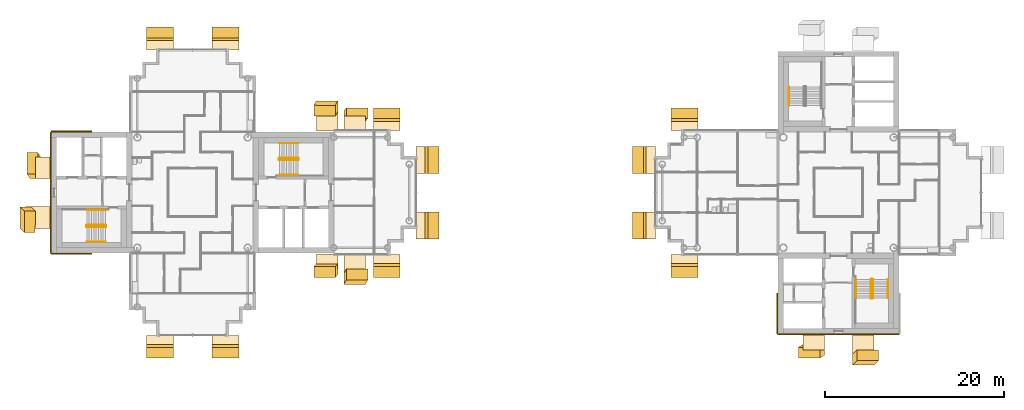
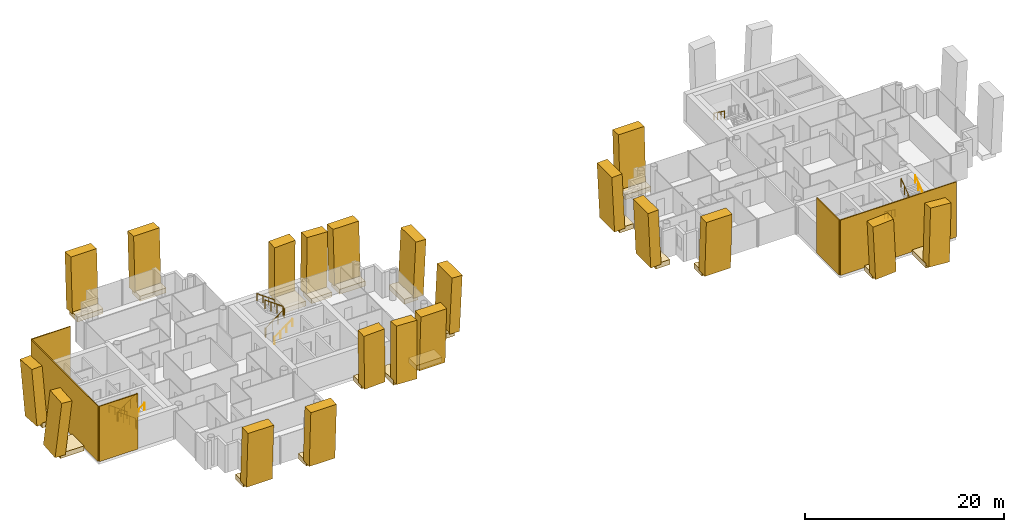
# One storey, part 16 of 18: 45 coverings, 10 railings.
"""IFC4 building model written with IfcOpenShell, lengths in metres."""

from ifc_helpers import new_model, si_unit, direction, frame, origin, origin_2d, place, context, subcontext, project, spatial, rectangle, circle, extrude, material, layer, layer_set, material_profile, profile_set, type_object, element, save


model = new_model("IFC4")

# Units and contexts
model_context = context("Model", 3, precision=1e-05, world=origin(), true_north=direction((0.0, 1.0)))
body_context = subcontext(model_context, "Body", "Model", "MODEL_VIEW")
ifc_project = project(units=[si_unit("LENGTHUNIT", "METRE"), si_unit("AREAUNIT", "SQUARE_METRE"), si_unit("VOLUMEUNIT", "CUBIC_METRE"), si_unit("PLANEANGLEUNIT", "RADIAN"), si_unit("MASSUNIT", "GRAM", prefix="KILO")], contexts=[model_context])

# Site, building, storey
site_placement = place(None, origin())
site = spatial("IfcSite", under=ifc_project, at=site_placement, CompositionType="ELEMENT")
building_placement = place(site_placement, origin())
building = spatial("IfcBuilding", under=site, at=building_placement, Name="Ipe Terrace Towers", CompositionType="ELEMENT")
storey_placement = place(building_placement, frame((0.0, 0.0, 223.199951171875)))
storey = spatial("IfcBuildingStorey", under=building, at=storey_placement, Name="L62", CompositionType="ELEMENT", Elevation=223.199951171875)

# Coverings
ifc_material_1 = material(Name="Concrete C50/60 precast, buff finish", Category="concrete")
ifc_layer = layer(ifc_material_1, 0.1201171875)
ifc_layer_set = layer_set([ifc_layer], Name="STONE CORE CLADDING 120")
covering_type_1 = type_object("IfcCoveringType", Name="STONE CORE CLADDING 120", PredefinedType="CLADDING", material=ifc_layer_set)
covering_1_placement = place(storey_placement, frame((-49.5, -6.81005859375, 0.0), z_axis=(0.0, 0.0, 1.0), x_axis=(1.0, 0.0, 0.0)))
element("IfcCovering", 1, at=covering_1_placement, inside=storey, type_object=covering_type_1, Name="stone core cladding", PredefinedType="CLADDING", context=body_context, shape_type="SweptSolid", body=[
    extrude(rectangle(XDim=4.5, YDim=0.1201171875, at=origin_2d()), origin(), (0.0, 0.0, 1.0), 6.800048828125),
])
covering_2_placement = place(storey_placement, frame((-51.81005859375, 0.0, 0.0), z_axis=(0.0, 0.0, 1.0), x_axis=(0.0, -1.0, 0.0)))
element("IfcCovering", 2, at=covering_2_placement, inside=storey, type_object=covering_type_1, Name="stone core cladding", PredefinedType="CLADDING", context=body_context, shape_type="SweptSolid", body=[
    extrude(rectangle(XDim=13.5, YDim=0.1201171875, at=origin_2d()), origin(), (0.0, 0.0, 1.0), 6.800048828125),
])
covering_3_placement = place(storey_placement, frame((-49.5, 6.81005859375, 0.0), z_axis=(0.0, 0.0, 1.0), x_axis=(-1.0, 0.0, 0.0)))
element("IfcCovering", 3, at=covering_3_placement, inside=storey, type_object=covering_type_1, Name="stone core cladding", PredefinedType="CLADDING", context=body_context, shape_type="SweptSolid", body=[
    extrude(rectangle(XDim=4.5, YDim=0.1201171875, at=origin_2d()), origin(), (0.0, 0.0, 1.0), 6.800048828125),
])
covering_4_placement = place(storey_placement, frame((36.0, -15.81005859375, 0.0), z_axis=(0.0, 0.0, 1.0), x_axis=(1.0, 0.0, 0.0)))
element("IfcCovering", 4, at=covering_4_placement, inside=storey, type_object=covering_type_1, Name="stone core cladding", PredefinedType="CLADDING", context=body_context, shape_type="SweptSolid", body=[
    extrude(rectangle(XDim=13.5, YDim=0.1201171875, at=origin_2d()), origin(), (0.0, 0.0, 1.0), 6.800048828125),
])
covering_5_placement = place(storey_placement, frame((29.18994140625, -13.5, 0.0), z_axis=(0.0, 0.0, 1.0), x_axis=(0.0, -1.0, 0.0)))
element("IfcCovering", 5, at=covering_5_placement, inside=storey, type_object=covering_type_1, Name="stone core cladding", PredefinedType="CLADDING", context=body_context, shape_type="SweptSolid", body=[
    extrude(rectangle(XDim=4.5, YDim=0.1201171875, at=origin_2d()), origin(), (0.0, 0.0, 1.0), 6.800048828125),
])
ifc_material_2 = material(Name="Concrete C50/60 precast, buff finish", Category="concrete")
ifc_material_profile_1 = material_profile(ifc_material_2, rectangle(XDim=2.39990234375, YDim=1.199951171875, at=origin_2d()), Name="STONE FIN 2400 x 1200")
ifc_profile_set_1 = profile_set([ifc_material_profile_1], Name="Concrete C50/60 precast, buff finish")
covering_type_2 = type_object("IfcCoveringType", Name="STONE FIN 2400 x 1200", PredefinedType="USERDEFINED", material=ifc_profile_set_1)
covering_6_placement = place(storey_placement, frame((-17.93701171875, -9.6298828125, 0.0), z_axis=(0.039428170954, 0.073095964844, 0.996545231918), x_axis=(0.999222407342, -0.002884282999, -0.03932253268)))
element("IfcCovering", 6, at=covering_6_placement, inside=storey, type_object=covering_type_2, Name="stone fin", ObjectType="FIN", PredefinedType="USERDEFINED", context=body_context, shape_type="SweptSolid", body=[
    extrude(rectangle(XDim=2.39990234375, YDim=1.199951171875, at=origin_2d()), origin(), (0.0, 0.0, 1.0), 6.82373046875),
])
for number, where, z_axis, x_axis, name in (
    (7, (-17.93701171875, 8.530029296875, 0.0), (0.039490872181, 0.046657999619, 0.998130002598), (-0.999219931254, 0.001844003553, 0.039447796346), "stone fin"),
    (8, (-21.012939453125, -8.530029296875, 0.0), (-0.039490872181, -0.046657999619, 0.998130002598), (0.999219931254, -0.001844003553, 0.039447796346), "stone fin"),
):
    element("IfcCovering", number, at=place(storey_placement, frame(where, z_axis=z_axis, x_axis=x_axis)), inside=storey, type_object=covering_type_2, Name=name, ObjectType="FIN", PredefinedType="USERDEFINED", context=body_context, shape_type="SweptSolid", body=[
        extrude(rectangle(XDim=2.39990234375, YDim=1.199951171875, at=origin_2d()), origin(), (0.0, 0.0, 1.0), 6.812744140625),
    ])
covering_7_placement = place(storey_placement, frame((-21.012939453125, 9.6298828125, 0.0), z_axis=(-0.039428170954, -0.073095964844, 0.996545231918), x_axis=(-0.999222407342, 0.002884282999, -0.03932253268)))
element("IfcCovering", 9, at=covering_7_placement, inside=storey, type_object=covering_type_2, Name="stone fin", ObjectType="FIN", PredefinedType="USERDEFINED", context=body_context, shape_type="SweptSolid", body=[
    extrude(rectangle(XDim=2.39990234375, YDim=1.199951171875, at=origin_2d()), origin(), (0.0, 0.0, 1.0), 6.82373046875),
])
covering_8_placement = place(storey_placement, frame((-54.6298828125, -2.780029296875, 0.0), z_axis=(0.072966172296, -0.071394703093, 0.994775720487), x_axis=(-0.005222725852, -0.997448142196, -0.071203418207)))
element("IfcCovering", 10, at=covering_8_placement, inside=storey, type_object=covering_type_2, Name="stone fin", ObjectType="FIN", PredefinedType="USERDEFINED", context=body_context, shape_type="SweptSolid", body=[
    extrude(rectangle(XDim=2.39990234375, YDim=1.199951171875, at=origin_2d()), origin(), (0.0, 0.0, 1.0), 6.835693359375),
])
for number, where, z_axis, x_axis, name in (
    (11, (-53.530029296875, 2.780029296875, 0.0), (-0.046574888528, 0.071507835766, 0.996352050825), (-0.003339017245, -0.997440038009, 0.071429836482), "stone fin"),
    (12, (33.219970703125, -17.530029296875, 0.0), (-0.071507835766, -0.046574888528, 0.996352050825), (0.997440038009, -0.003339017245, 0.071429836482), "stone fin"),
):
    element("IfcCovering", number, at=place(storey_placement, frame(where, z_axis=z_axis, x_axis=x_axis)), inside=storey, type_object=covering_type_2, Name=name, ObjectType="FIN", PredefinedType="USERDEFINED", context=body_context, shape_type="SweptSolid", body=[
        extrude(rectangle(XDim=2.39990234375, YDim=1.199951171875, at=origin_2d()), origin(), (0.0, 0.0, 1.0), 6.824951171875),
    ])
covering_9_placement = place(storey_placement, frame((38.780029296875, -18.6298828125, 0.0), z_axis=(0.071394703093, 0.072966172296, 0.994775720487), x_axis=(0.997448142196, -0.005222725852, -0.071203418207)))
element("IfcCovering", 13, at=covering_9_placement, inside=storey, type_object=covering_type_2, Name="stone fin", ObjectType="FIN", PredefinedType="USERDEFINED", context=body_context, shape_type="SweptSolid", body=[
    extrude(rectangle(XDim=2.39990234375, YDim=1.199951171875, at=origin_2d()), origin(), (0.0, 0.0, 1.0), 6.835693359375),
])
ifc_material_3 = material(Name="Concrete C50/60 precast, buff finish", Category="concrete")
ifc_material_profile_2 = material_profile(ifc_material_3, rectangle(XDim=3.0, YDim=1.199951171875, at=origin_2d()), Name="STONE FIN CORNER 3000 x 1200")
ifc_profile_set_2 = profile_set([ifc_material_profile_2], Name="Concrete C50/60 precast, buff finish")
covering_type_3 = type_object("IfcCoveringType", Name="STONE FIN CORNER 3000 x 1200", PredefinedType="USERDEFINED", material=ifc_profile_set_2)
for number, where, z_axis, x_axis, name in (
    (14, (-9.469970703125, -3.64990234375, 0.0), (0.04669442448, 0.0, 0.998909220461), (0.0, 1.0, 0.0), "stone fin"),
    (15, (-9.469970703125, 3.64990234375, 0.0), (0.04669442448, 0.0, 0.998909220461), (0.0, 1.0, 0.0), "stone fin"),
    (16, (-14.35009765625, -8.530029296875, 0.0), (0.0, -0.04669442448, 0.998909220461), (1.0, 0.0, 0.0), "stone fin"),
    (17, (-14.35009765625, 8.530029296875, 0.0), (0.0, 0.04669442448, 0.998909220461), (-1.0, 0.0, 0.0), "stone fin"),
    (18, (-32.35009765625, -17.530029296875, 0.0), (0.0, -0.04669442448, 0.998909220461), (1.0, 0.0, 0.0), "stone fin"),
    (19, (-32.35009765625, 17.530029296875, 0.0), (0.0, 0.04669442448, 0.998909220461), (-1.0, 0.0, 0.0), "stone fin"),
    (20, (-39.64990234375, -17.530029296875, 0.0), (0.0, -0.04669442448, 0.998909220461), (1.0, 0.0, 0.0), "stone fin"),
    (21, (-39.64990234375, 17.530029296875, 0.0), (0.0, 0.04669442448, 0.998909220461), (-1.0, 0.0, 0.0), "stone fin"),
    (22, (13.969970703125, -3.64990234375, 0.0), (-0.04669442448, 0.0, 0.998909220461), (0.0, -1.0, 0.0), "stone fin"),
    (23, (13.969970703125, 3.64990234375, 0.0), (-0.04669442448, 0.0, 0.998909220461), (0.0, -1.0, 0.0), "stone fin"),
    (24, (18.85009765625, -8.530029296875, 0.0), (0.0, -0.04669442448, 0.998909220461), (1.0, 0.0, 0.0), "stone fin"),
    (25, (18.85009765625, 8.530029296875, 0.0), (0.0, 0.04669442448, 0.998909220461), (-1.0, 0.0, 0.0), "stone fin"),
):
    element("IfcCovering", number, at=place(storey_placement, frame(where, z_axis=z_axis, x_axis=x_axis)), inside=storey, type_object=covering_type_3, Name=name, ObjectType="FIN", PredefinedType="USERDEFINED", context=body_context, shape_type="SweptSolid", body=[
        extrude(rectangle(XDim=3.0, YDim=1.199951171875, at=origin_2d()), origin(), (0.0, 0.0, 1.0), 6.807373046875),
    ])
ifc_material_4 = material(Name="Concrete C50/60 precast, buff finish", Category="concrete")
covering_type_4 = type_object("IfcCoveringType", Name="STONE FIN SHELF 2400 x 600", PredefinedType="CLADDING", material=ifc_material_4)
covering_10_placement = place(storey_placement, frame((-17.93701171875, -8.27294921875, -0.35009765625), z_axis=(0.0, 0.0, 1.0), x_axis=(1.0, 0.0, 0.0)))
element("IfcCovering", 26, at=covering_10_placement, inside=storey, type_object=covering_type_4, Name="stone fin shelf", PredefinedType="CLADDING", context=body_context, shape_type="SweptSolid", body=[
    extrude(rectangle(XDim=2.39990234375, YDim=2.714111328125, at=origin_2d()), origin(), (0.0, 0.0, 1.0), 0.60009765625),
])
covering_11_placement = place(storey_placement, frame((-17.93701171875, 7.722900390625, -0.35009765625), z_axis=(0.0, 0.0, 1.0), x_axis=(-1.0, 0.0, 0.0)))
element("IfcCovering", 27, at=covering_11_placement, inside=storey, type_object=covering_type_4, Name="stone fin shelf", PredefinedType="CLADDING", context=body_context, shape_type="SweptSolid", body=[
    extrude(rectangle(XDim=2.39990234375, YDim=1.614013671875, at=origin_2d()), origin(), (0.0, 0.0, 1.0), 0.60009765625),
])
covering_12_placement = place(storey_placement, frame((-21.012939453125, -7.695068359375, -0.35009765625), z_axis=(0.0, 0.0, 1.0), x_axis=(1.0, 0.0, 0.0)))
element("IfcCovering", 28, at=covering_12_placement, inside=storey, type_object=covering_type_4, Name="stone fin shelf", PredefinedType="CLADDING", context=body_context, shape_type="SweptSolid", body=[
    extrude(rectangle(XDim=2.39990234375, YDim=1.669921875, at=origin_2d()), origin(), (0.0, 0.0, 1.0), 0.60009765625),
])
for number, where, z_axis, x_axis, name in (
    (29, (-21.012939453125, 8.2451171875, -0.35009765625), (0.0, 0.0, 1.0), (-1.0, 0.0, 0.0), "stone fin shelf"),
    (30, (-53.2451171875, -2.780029296875, -0.35009765625), (0.0, 0.0, 1.0), (0.0, -1.0, 0.0), "stone fin shelf"),
):
    element("IfcCovering", number, at=place(storey_placement, frame(where, z_axis=z_axis, x_axis=x_axis)), inside=storey, type_object=covering_type_4, Name=name, PredefinedType="CLADDING", context=body_context, shape_type="SweptSolid", body=[
        extrude(rectangle(XDim=2.39990234375, YDim=2.77001953125, at=origin_2d()), origin(), (0.0, 0.0, 1.0), 0.60009765625),
    ])
for number, where, z_axis, x_axis, name in (
    (31, (-52.695068359375, 2.780029296875, -0.35009765625), (0.0, 0.0, 1.0), (0.0, -1.0, 0.0), "stone fin shelf"),
    (32, (33.219970703125, -16.695068359375, -0.35009765625), (0.0, 0.0, 1.0), (1.0, 0.0, 0.0), "stone fin shelf"),
):
    element("IfcCovering", number, at=place(storey_placement, frame(where, z_axis=z_axis, x_axis=x_axis)), inside=storey, type_object=covering_type_4, Name=name, PredefinedType="CLADDING", context=body_context, shape_type="SweptSolid", body=[
        extrude(rectangle(XDim=2.39990234375, YDim=1.669921875, at=origin_2d()), origin(), (0.0, 0.0, 1.0), 0.60009765625),
    ])
covering_13_placement = place(storey_placement, frame((38.780029296875, -17.2451171875, -0.35009765625), z_axis=(0.0, 0.0, 1.0), x_axis=(1.0, 0.0, 0.0)))
element("IfcCovering", 33, at=covering_13_placement, inside=storey, type_object=covering_type_4, Name="stone fin shelf", PredefinedType="CLADDING", context=body_context, shape_type="SweptSolid", body=[
    extrude(rectangle(XDim=2.39990234375, YDim=2.77001953125, at=origin_2d()), origin(), (0.0, 0.0, 1.0), 0.60009765625),
])
ifc_material_5 = material(Name="Concrete C50/60 precast, buff finish", Category="concrete")
covering_type_5 = type_object("IfcCoveringType", Name="STONE FIN SHELF 3000 x 600", PredefinedType="CLADDING", material=ifc_material_5)
for number, where, z_axis, x_axis, name in (
    (34, (-10.277099609375, -3.64990234375, -0.35009765625), (0.0, 0.0, 1.0), (0.0, 1.0, 0.0), "stone fin shelf"),
    (35, (-10.277099609375, 3.64990234375, -0.35009765625), (0.0, 0.0, 1.0), (0.0, 1.0, 0.0), "stone fin shelf"),
    (36, (-14.35009765625, -7.722900390625, -0.35009765625), (0.0, 0.0, 1.0), (1.0, 0.0, 0.0), "stone fin shelf"),
    (37, (-14.35009765625, 7.722900390625, -0.35009765625), (0.0, 0.0, 1.0), (-1.0, 0.0, 0.0), "stone fin shelf"),
    (38, (-32.35009765625, -16.722900390625, -0.35009765625), (0.0, 0.0, 1.0), (1.0, 0.0, 0.0), "stone fin shelf"),
    (39, (-32.35009765625, 16.722900390625, -0.35009765625), (0.0, 0.0, 1.0), (-1.0, 0.0, 0.0), "stone fin shelf"),
    (40, (-39.64990234375, -16.722900390625, -0.35009765625), (0.0, 0.0, 1.0), (1.0, 0.0, 0.0), "stone fin shelf"),
    (41, (-39.64990234375, 16.722900390625, -0.35009765625), (0.0, 0.0, 1.0), (-1.0, 0.0, 0.0), "stone fin shelf"),
    (42, (14.777099609375, -3.64990234375, -0.35009765625), (0.0, 0.0, 1.0), (0.0, -1.0, 0.0), "stone fin shelf"),
    (43, (14.777099609375, 3.64990234375, -0.35009765625), (0.0, 0.0, 1.0), (0.0, -1.0, 0.0), "stone fin shelf"),
    (44, (18.85009765625, -7.722900390625, -0.35009765625), (0.0, 0.0, 1.0), (1.0, 0.0, 0.0), "stone fin shelf"),
    (45, (18.85009765625, 7.722900390625, -0.35009765625), (0.0, 0.0, 1.0), (-1.0, 0.0, 0.0), "stone fin shelf"),
):
    element("IfcCovering", number, at=place(storey_placement, frame(where, z_axis=z_axis, x_axis=x_axis)), inside=storey, type_object=covering_type_5, Name=name, PredefinedType="CLADDING", context=body_context, shape_type="SweptSolid", body=[
        extrude(rectangle(XDim=3.0, YDim=1.614013671875, at=origin_2d()), origin(), (0.0, 0.0, 1.0), 0.60009765625),
    ])

# Railings
ifc_material_6 = material(Name="Steel S355", Category="steel")
railing_type_1 = type_object("IfcRailingType", Name="Stair guard 1100", PredefinedType="GUARDRAIL", material=ifc_material_6)
railing_1_placement = place(storey_placement, frame((-26.35009765625, 3.800048828125, 0.0)))
element("IfcRailing", 46, at=railing_1_placement, inside=storey, type_object=railing_type_1, Name="L62 T1-ST1 stair guard 1", PredefinedType="GUARDRAIL", context=body_context, shape_type="SweptSolid", body=[
    extrude(circle(Radius=0.02392578125, at=origin_2d()), frame((0.0, 0.0, 1.076171875), z_axis=(0.0, -1.0, 0.0), x_axis=(1.0, 0.0, 0.0)), (0.0, 0.0, 1.0), 0.150146484375),
    extrude(circle(Radius=0.02392578125, at=origin_2d()), frame((0.0, -0.150146484375, 1.076171875), z_axis=(0.248103849378, -0.246893586699, 0.936743314239), x_axis=(0.705375805398, 0.708833529934, 0.0)), (0.0, 0.0, 1.0), 0.20166015625),
    extrude(circle(Radius=0.02392578125, at=origin_2d()), frame((0.050048828125, -0.199951171875, 1.26513671875), z_axis=(0.809068575486, 0.0, 0.587714250432), x_axis=(0.0, 1.0, 0.0)), (0.0, 0.0, 1.0), 2.571044921875),
    extrude(circle(Radius=0.02392578125, at=origin_2d()), frame((2.130126953125, -0.199951171875, 2.77587890625), z_axis=(0.708833529934, 0.705375805398, 0.0), x_axis=(-0.705375805398, 0.708833529934, 0.0)), (0.0, 0.0, 1.0), 0.070556640625),
    extrude(circle(Radius=0.02392578125, at=origin_2d()), frame((2.18017578125, -0.150146484375, 2.77587890625), z_axis=(0.0, 1.0, 0.0), x_axis=(-1.0, 0.0, 0.0)), (0.0, 0.0, 1.0), 0.150146484375),
    extrude(circle(Radius=0.02392578125, at=origin_2d()), frame((2.18017578125, 0.0, 2.77587890625), z_axis=(-0.248029566107, 0.248029566107, 0.936462849596), x_axis=(-0.707106781187, -0.707106781187, 0.0)), (0.0, 0.0, 1.0), 0.201904296875),
    extrude(circle(Radius=0.02392578125, at=origin_2d()), frame((2.130126953125, 0.050048828125, 2.96484375), z_axis=(-0.809023421508, 0.0, 0.587776406001), x_axis=(0.0, -1.0, 0.0)), (0.0, 0.0, 1.0), 2.571044921875),
    extrude(circle(Radius=0.02099609375, at=origin_2d()), origin(), (0.0, 0.0, 1.0), 1.052001953125),
    extrude(circle(Radius=0.02099609375, at=origin_2d()), frame((0.0, -0.150146484375, 0.0)), (0.0, 0.0, 1.0), 1.052001953125),
    extrude(circle(Radius=0.02099609375, at=origin_2d()), frame((0.050048828125, -0.199951171875, 0.18896484375)), (0.0, 0.0, 1.0), 1.052001953125),
    extrude(circle(Radius=0.02099609375, at=origin_2d()), frame((0.743408203125, -0.199951171875, 0.692626953125)), (0.0, 0.0, 1.0), 1.052001953125),
    extrude(circle(Radius=0.02099609375, at=origin_2d()), frame((1.436767578125, -0.199951171875, 1.1962890625)), (0.0, 0.0, 1.0), 1.052001953125),
    extrude(circle(Radius=0.02099609375, at=origin_2d()), frame((2.130126953125, -0.199951171875, 1.699951171875)), (0.0, 0.0, 1.0), 1.052001953125),
    extrude(circle(Radius=0.02099609375, at=origin_2d()), frame((2.18017578125, -0.150146484375, 1.699951171875)), (0.0, 0.0, 1.0), 1.052001953125),
    extrude(circle(Radius=0.02099609375, at=origin_2d()), frame((2.18017578125, 0.0, 1.699951171875)), (0.0, 0.0, 1.0), 1.052001953125),
    extrude(circle(Radius=0.02099609375, at=origin_2d()), frame((2.130126953125, 0.050048828125, 1.888916015625)), (0.0, 0.0, 1.0), 1.052001953125),
    extrude(circle(Radius=0.02099609375, at=origin_2d()), frame((1.436767578125, 0.050048828125, 2.392578125)), (0.0, 0.0, 1.0), 1.052001953125),
    extrude(circle(Radius=0.02099609375, at=origin_2d()), frame((0.743408203125, 0.050048828125, 2.896484375)), (0.0, 0.0, 1.0), 1.052001953125),
    extrude(circle(Radius=0.02099609375, at=origin_2d()), frame((0.050048828125, 0.050048828125, 3.400146484375)), (0.0, 0.0, 1.0), 1.052001953125),
])
railing_2_placement = place(storey_placement, frame((-45.64990234375, -3.800048828125, 0.0)))
element("IfcRailing", 47, at=railing_2_placement, inside=storey, type_object=railing_type_1, Name="L62 T1-ST2 stair guard 1", PredefinedType="GUARDRAIL", context=body_context, shape_type="SweptSolid", body=[
    extrude(circle(Radius=0.02392578125, at=origin_2d()), frame((0.0, 0.0, 1.076171875), z_axis=(0.0, 1.0, 0.0), x_axis=(-1.0, 0.0, 0.0)), (0.0, 0.0, 1.0), 0.150146484375),
    extrude(circle(Radius=0.02392578125, at=origin_2d()), frame((0.0, 0.150146484375, 1.076171875), z_axis=(-0.248103849378, 0.246893586699, 0.936743314239), x_axis=(-0.705375805398, -0.708833529934, 0.0)), (0.0, 0.0, 1.0), 0.20166015625),
    extrude(circle(Radius=0.02392578125, at=origin_2d()), frame((-0.050048828125, 0.199951171875, 1.26513671875), z_axis=(-0.809068575486, 0.0, 0.587714250432), x_axis=(0.0, -1.0, 0.0)), (0.0, 0.0, 1.0), 2.571044921875),
    extrude(circle(Radius=0.02392578125, at=origin_2d()), frame((-2.130126953125, 0.199951171875, 2.77587890625), z_axis=(-0.708833529934, -0.705375805398, 0.0), x_axis=(0.705375805398, -0.708833529934, 0.0)), (0.0, 0.0, 1.0), 0.070556640625),
    extrude(circle(Radius=0.02392578125, at=origin_2d()), frame((-2.18017578125, 0.150146484375, 2.77587890625), z_axis=(0.0, -1.0, 0.0), x_axis=(1.0, 0.0, 0.0)), (0.0, 0.0, 1.0), 0.150146484375),
    extrude(circle(Radius=0.02392578125, at=origin_2d()), frame((-2.18017578125, 0.0, 2.77587890625), z_axis=(0.248029566107, -0.248029566107, 0.936462849596), x_axis=(0.707106781187, 0.707106781187, 0.0)), (0.0, 0.0, 1.0), 0.201904296875),
    extrude(circle(Radius=0.02392578125, at=origin_2d()), frame((-2.130126953125, -0.050048828125, 2.96484375), z_axis=(0.809023421508, 0.0, 0.587776406001), x_axis=(0.0, 1.0, 0.0)), (0.0, 0.0, 1.0), 2.571044921875),
    extrude(circle(Radius=0.02099609375, at=origin_2d()), origin(), (0.0, 0.0, 1.0), 1.052001953125),
    extrude(circle(Radius=0.02099609375, at=origin_2d()), frame((0.0, 0.150146484375, 0.0)), (0.0, 0.0, 1.0), 1.052001953125),
    extrude(circle(Radius=0.02099609375, at=origin_2d()), frame((-0.050048828125, 0.199951171875, 0.18896484375)), (0.0, 0.0, 1.0), 1.052001953125),
    extrude(circle(Radius=0.02099609375, at=origin_2d()), frame((-0.743408203125, 0.199951171875, 0.692626953125)), (0.0, 0.0, 1.0), 1.052001953125),
    extrude(circle(Radius=0.02099609375, at=origin_2d()), frame((-1.436767578125, 0.199951171875, 1.1962890625)), (0.0, 0.0, 1.0), 1.052001953125),
    extrude(circle(Radius=0.02099609375, at=origin_2d()), frame((-2.130126953125, 0.199951171875, 1.699951171875)), (0.0, 0.0, 1.0), 1.052001953125),
    extrude(circle(Radius=0.02099609375, at=origin_2d()), frame((-2.18017578125, 0.150146484375, 1.699951171875)), (0.0, 0.0, 1.0), 1.052001953125),
    extrude(circle(Radius=0.02099609375, at=origin_2d()), frame((-2.18017578125, 0.0, 1.699951171875)), (0.0, 0.0, 1.0), 1.052001953125),
    extrude(circle(Radius=0.02099609375, at=origin_2d()), frame((-2.130126953125, -0.050048828125, 1.888916015625)), (0.0, 0.0, 1.0), 1.052001953125),
    extrude(circle(Radius=0.02099609375, at=origin_2d()), frame((-1.436767578125, -0.050048828125, 2.392578125)), (0.0, 0.0, 1.0), 1.052001953125),
    extrude(circle(Radius=0.02099609375, at=origin_2d()), frame((-0.743408203125, -0.050048828125, 2.896484375)), (0.0, 0.0, 1.0), 1.052001953125),
    extrude(circle(Radius=0.02099609375, at=origin_2d()), frame((-0.050048828125, -0.050048828125, 3.400146484375)), (0.0, 0.0, 1.0), 1.052001953125),
])
railing_3_placement = place(storey_placement, frame((39.800048828125, -9.64990234375, 0.0)))
element("IfcRailing", 48, at=railing_3_placement, inside=storey, type_object=railing_type_1, Name="L62 T2-ST2 stair guard 1", PredefinedType="GUARDRAIL", context=body_context, shape_type="SweptSolid", body=[
    extrude(circle(Radius=0.02392578125, at=origin_2d()), frame((0.0, 0.0, 1.076171875), z_axis=(-1.0, 0.0, 0.0), x_axis=(0.0, -1.0, 0.0)), (0.0, 0.0, 1.0), 0.150146484375),
    extrude(circle(Radius=0.02392578125, at=origin_2d()), frame((-0.150146484375, 0.0, 1.076171875), z_axis=(-0.246893586699, -0.248103849378, 0.936743314239), x_axis=(0.708833529934, -0.705375805398, 0.0)), (0.0, 0.0, 1.0), 0.20166015625),
    extrude(circle(Radius=0.02392578125, at=origin_2d()), frame((-0.199951171875, -0.050048828125, 1.26513671875), z_axis=(0.0, -0.809068575486, 0.587714250432), x_axis=(1.0, 0.0, 0.0)), (0.0, 0.0, 1.0), 2.571044921875),
    extrude(circle(Radius=0.02392578125, at=origin_2d()), frame((-0.199951171875, -2.130126953125, 2.77587890625), z_axis=(0.705375805398, -0.708833529934, 0.0), x_axis=(0.708833529934, 0.705375805398, 0.0)), (0.0, 0.0, 1.0), 0.070556640625),
    extrude(circle(Radius=0.02392578125, at=origin_2d()), frame((-0.150146484375, -2.18017578125, 2.77587890625), z_axis=(1.0, 0.0, 0.0), x_axis=(0.0, 1.0, 0.0)), (0.0, 0.0, 1.0), 0.150146484375),
    extrude(circle(Radius=0.02392578125, at=origin_2d()), frame((0.0, -2.18017578125, 2.77587890625), z_axis=(0.248029566107, 0.248029566107, 0.936462849596), x_axis=(-0.707106781187, 0.707106781187, 0.0)), (0.0, 0.0, 1.0), 0.201904296875),
    extrude(circle(Radius=0.02392578125, at=origin_2d()), frame((0.050048828125, -2.130126953125, 2.96484375), z_axis=(0.0, 0.809023421508, 0.587776406001), x_axis=(-1.0, 0.0, 0.0)), (0.0, 0.0, 1.0), 2.571044921875),
    extrude(circle(Radius=0.02099609375, at=origin_2d()), origin(), (0.0, 0.0, 1.0), 1.052001953125),
    extrude(circle(Radius=0.02099609375, at=origin_2d()), frame((-0.150146484375, 0.0, 0.0)), (0.0, 0.0, 1.0), 1.052001953125),
    extrude(circle(Radius=0.02099609375, at=origin_2d()), frame((-0.199951171875, -0.050048828125, 0.18896484375)), (0.0, 0.0, 1.0), 1.052001953125),
    extrude(circle(Radius=0.02099609375, at=origin_2d()), frame((-0.199951171875, -0.743408203125, 0.692626953125)), (0.0, 0.0, 1.0), 1.052001953125),
    extrude(circle(Radius=0.02099609375, at=origin_2d()), frame((-0.199951171875, -1.436767578125, 1.1962890625)), (0.0, 0.0, 1.0), 1.052001953125),
    extrude(circle(Radius=0.02099609375, at=origin_2d()), frame((-0.199951171875, -2.130126953125, 1.699951171875)), (0.0, 0.0, 1.0), 1.052001953125),
    extrude(circle(Radius=0.02099609375, at=origin_2d()), frame((-0.150146484375, -2.18017578125, 1.699951171875)), (0.0, 0.0, 1.0), 1.052001953125),
    extrude(circle(Radius=0.02099609375, at=origin_2d()), frame((0.0, -2.18017578125, 1.699951171875)), (0.0, 0.0, 1.0), 1.052001953125),
    extrude(circle(Radius=0.02099609375, at=origin_2d()), frame((0.050048828125, -2.130126953125, 1.888916015625)), (0.0, 0.0, 1.0), 1.052001953125),
    extrude(circle(Radius=0.02099609375, at=origin_2d()), frame((0.050048828125, -1.436767578125, 2.392578125)), (0.0, 0.0, 1.0), 1.052001953125),
    extrude(circle(Radius=0.02099609375, at=origin_2d()), frame((0.050048828125, -0.743408203125, 2.896484375)), (0.0, 0.0, 1.0), 1.052001953125),
    extrude(circle(Radius=0.02099609375, at=origin_2d()), frame((0.050048828125, -0.050048828125, 3.400146484375)), (0.0, 0.0, 1.0), 1.052001953125),
])
ifc_material_7 = material(Name="Stainless steel grade 304", Category="steel")
railing_type_2 = type_object("IfcRailingType", Name="Stair handrail 900", PredefinedType="HANDRAIL", material=ifc_material_7)
railing_4_placement = place(storey_placement, frame((-26.300048828125, 1.949951171875, 0.18896484375)))
element("IfcRailing", 49, at=railing_4_placement, inside=storey, type_object=railing_type_2, Name="L62 T1-ST1 stair handrail 1", PredefinedType="HANDRAIL", context=body_context, shape_type="SweptSolid", body=[
    extrude(circle(Radius=0.02392578125, at=origin_2d()), frame((0.0, 0.0, 0.8759765625), z_axis=(0.809068575486, 0.0, 0.587714250432), x_axis=(0.0, 1.0, 0.0)), (0.0, 0.0, 1.0), 2.571044921875),
    extrude(circle(Radius=0.02099609375, at=origin_2d()), origin(), (0.0, 0.0, 1.0), 0.851806640625),
    extrude(circle(Radius=0.02099609375, at=origin_2d()), frame((0.693359375, 0.0, 0.503662109375)), (0.0, 0.0, 1.0), 0.851806640625),
    extrude(circle(Radius=0.02099609375, at=origin_2d()), frame((1.38671875, 0.0, 1.00732421875)), (0.0, 0.0, 1.0), 0.851806640625),
    extrude(circle(Radius=0.02099609375, at=origin_2d()), frame((2.080078125, 0.0, 1.510986328125)), (0.0, 0.0, 1.0), 0.851806640625),
])
railing_5_placement = place(storey_placement, frame((-24.219970703125, 5.5, 1.888916015625)))
element("IfcRailing", 50, at=railing_5_placement, inside=storey, type_object=railing_type_2, Name="L62 T1-ST1 stair handrail 2", PredefinedType="HANDRAIL", context=body_context, shape_type="SweptSolid", body=[
    extrude(circle(Radius=0.02392578125, at=origin_2d()), frame((0.0, 0.0, 0.8759765625), z_axis=(-0.809023421508, 0.0, 0.587776406001), x_axis=(0.0, -1.0, 0.0)), (0.0, 0.0, 1.0), 2.571044921875),
    extrude(circle(Radius=0.02099609375, at=origin_2d()), origin(), (0.0, 0.0, 1.0), 0.851806640625),
    extrude(circle(Radius=0.02099609375, at=origin_2d()), frame((-0.693359375, 0.0, 0.503662109375)), (0.0, 0.0, 1.0), 0.851806640625),
    extrude(circle(Radius=0.02099609375, at=origin_2d()), frame((-1.38671875, 0.0, 1.007568359375)), (0.0, 0.0, 1.0), 0.851806640625),
    extrude(circle(Radius=0.02099609375, at=origin_2d()), frame((-2.080078125, 0.0, 1.51123046875)), (0.0, 0.0, 1.0), 0.851806640625),
])
railing_6_placement = place(storey_placement, frame((-45.699951171875, -1.949951171875, 0.18896484375)))
element("IfcRailing", 51, at=railing_6_placement, inside=storey, type_object=railing_type_2, Name="L62 T1-ST2 stair handrail 1", PredefinedType="HANDRAIL", context=body_context, shape_type="SweptSolid", body=[
    extrude(circle(Radius=0.02392578125, at=origin_2d()), frame((0.0, 0.0, 0.8759765625), z_axis=(-0.809068575486, 0.0, 0.587714250432), x_axis=(0.0, -1.0, 0.0)), (0.0, 0.0, 1.0), 2.571044921875),
    extrude(circle(Radius=0.02099609375, at=origin_2d()), origin(), (0.0, 0.0, 1.0), 0.851806640625),
    extrude(circle(Radius=0.02099609375, at=origin_2d()), frame((-0.693359375, 0.0, 0.503662109375)), (0.0, 0.0, 1.0), 0.851806640625),
    extrude(circle(Radius=0.02099609375, at=origin_2d()), frame((-1.38671875, 0.0, 1.00732421875)), (0.0, 0.0, 1.0), 0.851806640625),
    extrude(circle(Radius=0.02099609375, at=origin_2d()), frame((-2.080078125, 0.0, 1.510986328125)), (0.0, 0.0, 1.0), 0.851806640625),
])
railing_7_placement = place(storey_placement, frame((-47.780029296875, -5.5, 1.888916015625)))
element("IfcRailing", 52, at=railing_7_placement, inside=storey, type_object=railing_type_2, Name="L62 T1-ST2 stair handrail 2", PredefinedType="HANDRAIL", context=body_context, shape_type="SweptSolid", body=[
    extrude(circle(Radius=0.02392578125, at=origin_2d()), frame((0.0, 0.0, 0.8759765625), z_axis=(0.809023421508, 0.0, 0.587776406001), x_axis=(0.0, 1.0, 0.0)), (0.0, 0.0, 1.0), 2.571044921875),
    extrude(circle(Radius=0.02099609375, at=origin_2d()), origin(), (0.0, 0.0, 1.0), 0.851806640625),
    extrude(circle(Radius=0.02099609375, at=origin_2d()), frame((0.693359375, 0.0, 0.503662109375)), (0.0, 0.0, 1.0), 0.851806640625),
    extrude(circle(Radius=0.02099609375, at=origin_2d()), frame((1.38671875, 0.0, 1.007568359375)), (0.0, 0.0, 1.0), 0.851806640625),
    extrude(circle(Radius=0.02099609375, at=origin_2d()), frame((2.080078125, 0.0, 1.51123046875)), (0.0, 0.0, 1.0), 0.851806640625),
])
railing_8_placement = place(storey_placement, frame((30.5, 11.780029296875, 1.888916015625)))
element("IfcRailing", 53, at=railing_8_placement, inside=storey, type_object=railing_type_2, Name="L62 T2-ST1 stair handrail 2", PredefinedType="HANDRAIL", context=body_context, shape_type="SweptSolid", body=[
    extrude(circle(Radius=0.02392578125, at=origin_2d()), frame((0.0, 0.0, 0.8759765625), z_axis=(0.0, -0.809023421508, 0.587776406001), x_axis=(1.0, 0.0, 0.0)), (0.0, 0.0, 1.0), 2.571044921875),
    extrude(circle(Radius=0.02099609375, at=origin_2d()), origin(), (0.0, 0.0, 1.0), 0.851806640625),
    extrude(circle(Radius=0.02099609375, at=origin_2d()), frame((0.0, -0.693359375, 0.503662109375)), (0.0, 0.0, 1.0), 0.851806640625),
    extrude(circle(Radius=0.02099609375, at=origin_2d()), frame((0.0, -1.38671875, 1.007568359375)), (0.0, 0.0, 1.0), 0.851806640625),
    extrude(circle(Radius=0.02099609375, at=origin_2d()), frame((0.0, -2.080078125, 1.51123046875)), (0.0, 0.0, 1.0), 0.851806640625),
])
railing_9_placement = place(storey_placement, frame((37.949951171875, -9.699951171875, 0.18896484375)))
element("IfcRailing", 54, at=railing_9_placement, inside=storey, type_object=railing_type_2, Name="L62 T2-ST2 stair handrail 1", PredefinedType="HANDRAIL", context=body_context, shape_type="SweptSolid", body=[
    extrude(circle(Radius=0.02392578125, at=origin_2d()), frame((0.0, 0.0, 0.8759765625), z_axis=(0.0, -0.809068575486, 0.587714250432), x_axis=(1.0, 0.0, 0.0)), (0.0, 0.0, 1.0), 2.571044921875),
    extrude(circle(Radius=0.02099609375, at=origin_2d()), origin(), (0.0, 0.0, 1.0), 0.851806640625),
    extrude(circle(Radius=0.02099609375, at=origin_2d()), frame((0.0, -0.693359375, 0.503662109375)), (0.0, 0.0, 1.0), 0.851806640625),
    extrude(circle(Radius=0.02099609375, at=origin_2d()), frame((0.0, -1.38671875, 1.00732421875)), (0.0, 0.0, 1.0), 0.851806640625),
    extrude(circle(Radius=0.02099609375, at=origin_2d()), frame((0.0, -2.080078125, 1.510986328125)), (0.0, 0.0, 1.0), 0.851806640625),
])
railing_10_placement = place(storey_placement, frame((41.5, -11.780029296875, 1.888916015625)))
element("IfcRailing", 55, at=railing_10_placement, inside=storey, type_object=railing_type_2, Name="L62 T2-ST2 stair handrail 2", PredefinedType="HANDRAIL", context=body_context, shape_type="SweptSolid", body=[
    extrude(circle(Radius=0.02392578125, at=origin_2d()), frame((0.0, 0.0, 0.8759765625), z_axis=(0.0, 0.809023421508, 0.587776406001), x_axis=(-1.0, 0.0, 0.0)), (0.0, 0.0, 1.0), 2.571044921875),
    extrude(circle(Radius=0.02099609375, at=origin_2d()), origin(), (0.0, 0.0, 1.0), 0.851806640625),
    extrude(circle(Radius=0.02099609375, at=origin_2d()), frame((0.0, 0.693359375, 0.503662109375)), (0.0, 0.0, 1.0), 0.851806640625),
    extrude(circle(Radius=0.02099609375, at=origin_2d()), frame((0.0, 1.38671875, 1.007568359375)), (0.0, 0.0, 1.0), 0.851806640625),
    extrude(circle(Radius=0.02099609375, at=origin_2d()), frame((0.0, 2.080078125, 1.51123046875)), (0.0, 0.0, 1.0), 0.851806640625),
])

save(model, "model.ifc")
